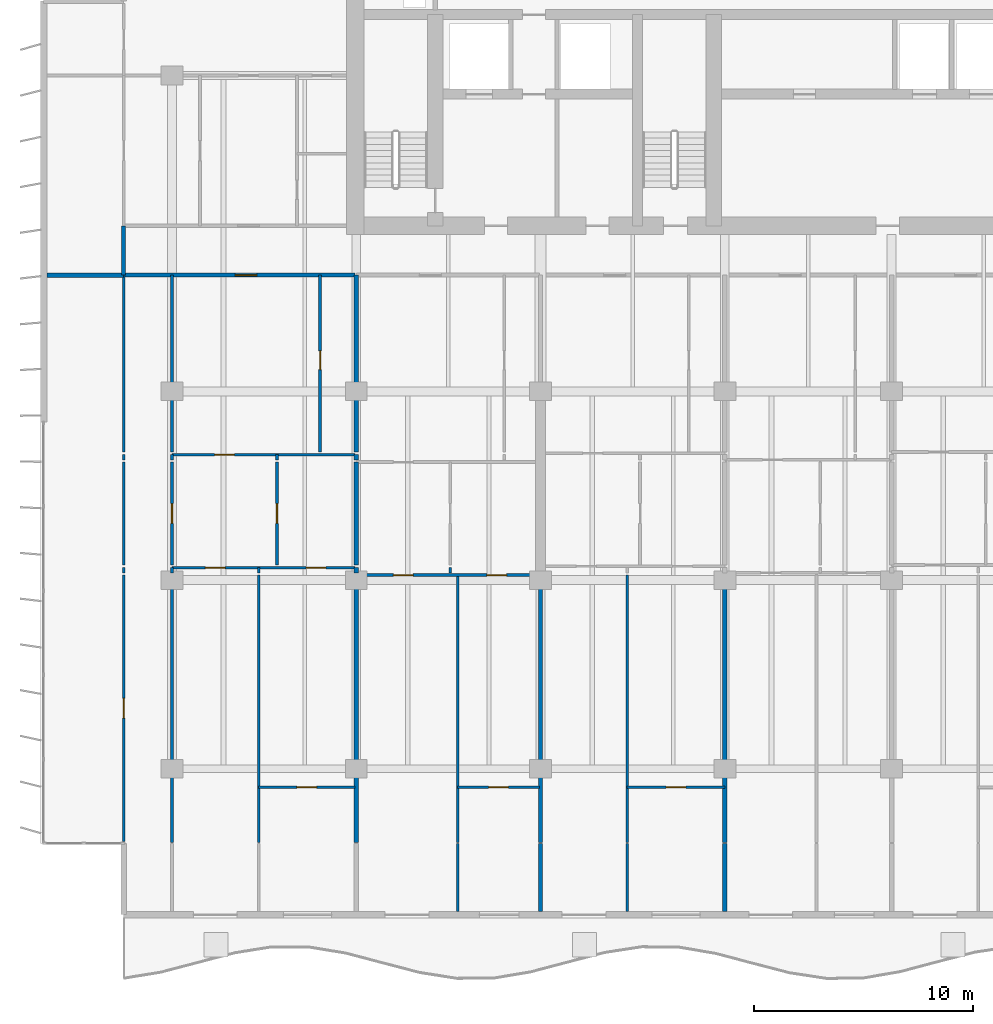
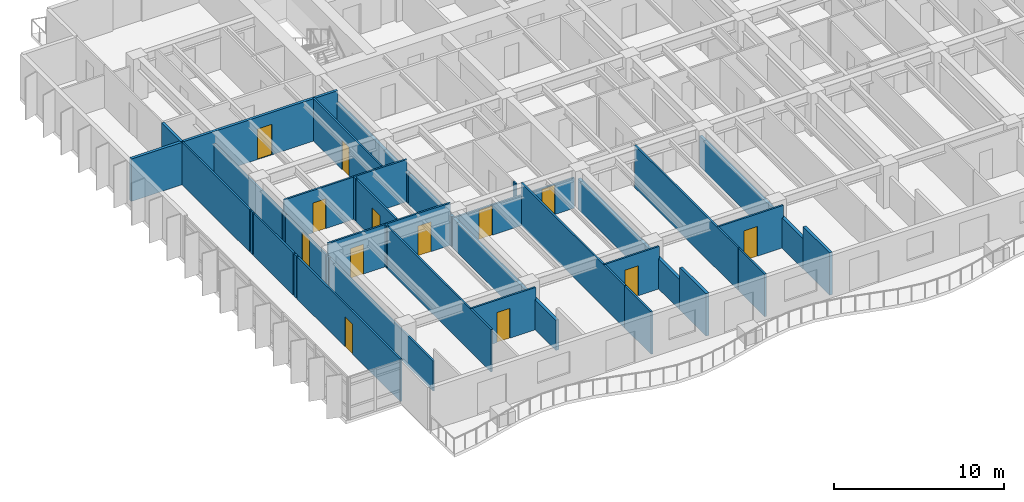
# One storey, part 6 of 18: 38 walls, 13 doors, 13 openings.
"""IFC4 building model written with IfcOpenShell, lengths in metres."""

from ifc_helpers import new_model, si_unit, direction, frame, frame_2d, origin, place, context, subcontext, project, spatial, rectangle, extrude, material, layer, layer_set, type_object, element, fill, save


model = new_model("IFC4")

# Units and contexts
model_context = context("Model", 3, precision=1e-05, world=origin(), true_north=direction((0.0, 1.0)))
body_context = subcontext(model_context, "Body", "Model", "MODEL_VIEW")
ifc_project = project(units=[si_unit("LENGTHUNIT", "METRE"), si_unit("AREAUNIT", "SQUARE_METRE"), si_unit("VOLUMEUNIT", "CUBIC_METRE"), si_unit("PLANEANGLEUNIT", "RADIAN"), si_unit("MASSUNIT", "GRAM", prefix="KILO")], contexts=[model_context])

# Site, building, storey
site_placement = place(None, origin())
site = spatial("IfcSite", under=ifc_project, at=site_placement, CompositionType="ELEMENT")
building_placement = place(site_placement, origin())
building = spatial("IfcBuilding", under=site, at=building_placement, Name="Caelmar Bay Residences", CompositionType="ELEMENT")
storey_placement = place(building_placement, frame((0.0, 0.0, 125.699951171875)))
storey = spatial("IfcBuildingStorey", under=building, at=storey_placement, Name="L34", CompositionType="ELEMENT", Elevation=125.699951171875)

# Wall
ifc_material_1 = material(Name="Double-stud acoustic fire-rated gypsum partition 180 mm")
ifc_layer_1 = layer(ifc_material_1, 0.179931640625)
ifc_layer_set_1 = layer_set([ifc_layer_1], Name="Double-stud acoustic fire-rated gypsum partition 180 mm")
wall_type_1 = type_object("IfcWallType", Name="W-COR-200", PredefinedType="PARTITIONING", material=ifc_layer_set_1)
wall_1_placement = place(storey_placement, frame((7.699951171875, 34.705078125, 0.0), z_axis=(0.0, 0.0, 1.0), x_axis=(0.0, 1.0, 0.0)))
element("IfcWall", 1, at=wall_1_placement, inside=storey, type_object=wall_type_1, Name="L34 Partition Wall V006", PredefinedType="PARTITIONING", context=body_context, shape_type="SweptSolid", body=[
    extrude(rectangle(XDim=2.244873046875, YDim=0.179931640625, at=frame_2d((1.12255859375, 0.0))), origin(), (0.0, 0.0, 1.0), 3.050048828125),
])

# Wall, opening, door
wall_2_placement = place(storey_placement, frame((7.705078125, 34.699951171875, 0.0), z_axis=(0.0, 0.0, 1.0), x_axis=(1.0, 0.0, 0.0)))
wall_2 = element("IfcWall", 2, at=wall_2_placement, inside=storey, type_object=wall_type_1, Name="L34 Partition Wall H142", PredefinedType="PARTITIONING", context=body_context, shape_type="SweptSolid", body=[
    extrude(rectangle(XDim=10.544921875, YDim=0.179931640625, at=frame_2d((5.2724609375, 0.0))), origin(), (0.0, 0.0, 1.0), 3.050048828125),
])
opening_1_placement = place(wall_2_placement, frame((5.070068359375, 0.0, 0.0)))
opening_1 = element("IfcOpeningElement", 3, at=opening_1_placement, cuts=wall_2, Name="Opening D-L34-123", PredefinedType="OPENING", context=body_context, shape_type="SweptSolid", body=[
    extrude(rectangle(XDim=1.0, YDim=2.199951171875, at=frame_2d((0.5, 1.10009765625))), frame((0.0, 0.099853515625, 0.0), z_axis=(0.0, -1.0, 0.0), x_axis=(1.0, 0.0, 0.0)), (0.0, 0.0, 1.0), 0.199951171875),
])
ifc_material_2 = material(Name="Fire-rated steel and walnut architectural door assembly", Category="steel")
ifc_layer_2 = layer(ifc_material_2, 0.050048828125)
ifc_layer_set_2 = layer_set([ifc_layer_2], Name="Fire-rated steel and walnut architectural door assembly")
door_type_1 = type_object("IfcDoorType", Name="D-UNIT-1000", OperationType="NOTDEFINED", PredefinedType="DOOR", material=ifc_layer_set_2)
door_1_placement = place(opening_1_placement, origin())
door_1 = element("IfcDoor", 4, at=door_1_placement, inside=storey, type_object=door_type_1, Name="L34 Residence 01 Apartment Hall Door", OperationType="SINGLE_SWING_RIGHT", OverallHeight=2.199951171875, OverallWidth=1.0, PredefinedType="DOOR", context=body_context, shape_type="SweptSolid", body=[
    extrude(rectangle(XDim=1.0, YDim=2.199951171875, at=frame_2d((0.5, 1.10009765625))), frame((0.0, 0.02490234375, 0.0), z_axis=(0.0, -1.0, 0.0), x_axis=(1.0, 0.0, 0.0)), (0.0, 0.0, 1.0), 0.050048828125),
])
fill(opening_1, door_1)

ifc_material_3 = material(Name="Acoustic metal-stud gypsum partition 120 mm")
ifc_layer_3 = layer(ifc_material_3, 0.1201171875)
ifc_layer_set_3 = layer_set([ifc_layer_3], Name="Acoustic metal-stud gypsum partition 120 mm")
wall_type_2 = type_object("IfcWallType", Name="W-PRT-120", PredefinedType="PARTITIONING", material=ifc_layer_set_3)
wall_3_placement = place(storey_placement, frame((7.699951171875, 8.885009765625, 0.0), z_axis=(0.0, 0.0, 1.0), x_axis=(0.0, 1.0, 0.0)))
wall_3 = element("IfcWall", 5, at=wall_3_placement, inside=storey, type_object=wall_type_2, Name="L34 Partition Wall V001", PredefinedType="PARTITIONING", context=body_context, shape_type="SweptSolid", body=[
    extrude(rectangle(XDim=12.14501953125, YDim=0.1201171875, at=frame_2d((6.072509765625, 0.0))), origin(), (0.0, 0.0, 1.0), 3.050048828125),
])
opening_2_placement = place(wall_3_placement, frame((5.62255859375, 0.0, 0.0)))
opening_2 = element("IfcOpeningElement", 6, at=opening_2_placement, cuts=wall_3, Name="Opening D-L34-173", PredefinedType="OPENING", context=body_context, shape_type="SweptSolid", body=[
    extrude(rectangle(XDim=0.89990234375, YDim=2.14990234375, at=frame_2d((0.449951171875, 1.074951171875))), frame((0.0, 0.070068359375, 0.0), z_axis=(0.0, -1.0, 0.0), x_axis=(1.0, 0.0, 0.0)), (0.0, 0.0, 1.0), 0.14013671875),
])
ifc_material_4 = material(Name="Solid walnut timber interior door leaf and frame", Category="wood")
ifc_layer_4 = layer(ifc_material_4, 0.050048828125)
ifc_layer_set_4 = layer_set([ifc_layer_4], Name="Solid walnut timber interior door leaf and frame")
door_type_2 = type_object("IfcDoorType", Name="D-ROOM-900", OperationType="NOTDEFINED", PredefinedType="DOOR", material=ifc_layer_set_4)
door_2_placement = place(opening_2_placement, origin())
door_2 = element("IfcDoor", 7, at=door_2_placement, inside=storey, type_object=door_type_2, Name="L34 Residence 01 Penthouse West Salon Door", OperationType="SINGLE_SWING_RIGHT", OverallHeight=2.14990234375, OverallWidth=0.89990234375, PredefinedType="DOOR", context=body_context, shape_type="SweptSolid", body=[
    extrude(rectangle(XDim=0.89990234375, YDim=2.14990234375, at=frame_2d((0.449951171875, 1.074951171875))), frame((0.0, 0.02490234375, 0.0), z_axis=(0.0, -1.0, 0.0), x_axis=(1.0, 0.0, 0.0)), (0.0, 0.0, 1.0), 0.050048828125),
])
fill(opening_2, door_2)

# Walls
wall_4_placement = place(storey_placement, frame((7.699951171875, 21.1298828125, 0.0), z_axis=(0.0, 0.0, 1.0), x_axis=(0.0, 1.0, 0.0)))
element("IfcWall", 8, at=wall_4_placement, inside=storey, type_object=wall_type_2, Name="L34 Partition Wall V002", PredefinedType="PARTITIONING", context=body_context, shape_type="SweptSolid", body=[
    extrude(rectangle(XDim=0.240234375, YDim=0.1201171875, at=frame_2d((0.1201171875, 0.0))), origin(), (0.0, 0.0, 1.0), 3.050048828125),
])
wall_5_placement = place(storey_placement, frame((7.699951171875, 21.489990234375, 0.0), z_axis=(0.0, 0.0, 1.0), x_axis=(0.0, 1.0, 0.0)))
element("IfcWall", 9, at=wall_5_placement, inside=storey, type_object=wall_type_2, Name="L34 Partition Wall V003", PredefinedType="PARTITIONING", context=body_context, shape_type="SweptSolid", body=[
    extrude(rectangle(XDim=4.68994140625, YDim=0.1201171875, at=frame_2d((2.344970703125, 0.0))), origin(), (0.0, 0.0, 1.0), 3.050048828125),
])
wall_6_placement = place(storey_placement, frame((7.699951171875, 26.280029296875, 0.0), z_axis=(0.0, 0.0, 1.0), x_axis=(0.0, 1.0, 0.0)))
element("IfcWall", 10, at=wall_6_placement, inside=storey, type_object=wall_type_2, Name="L34 Partition Wall V004", PredefinedType="PARTITIONING", context=body_context, shape_type="SweptSolid", body=[
    extrude(rectangle(XDim=0.239990234375, YDim=0.1201171875, at=frame_2d((0.1201171875, 0.0))), origin(), (0.0, 0.0, 1.0), 3.050048828125),
])
wall_7_placement = place(storey_placement, frame((7.699951171875, 26.639892578125, 0.0), z_axis=(0.0, 0.0, 1.0), x_axis=(0.0, 1.0, 0.0)))
element("IfcWall", 11, at=wall_7_placement, inside=storey, type_object=wall_type_2, Name="L34 Partition Wall V005", PredefinedType="PARTITIONING", context=body_context, shape_type="SweptSolid", body=[
    extrude(rectangle(XDim=8.06005859375, YDim=0.1201171875, at=frame_2d((4.030029296875, 0.0))), origin(), (0.0, 0.0, 1.0), 3.050048828125),
])
wall_8_placement = place(storey_placement, frame((9.89990234375, 8.840087890625, 0.0), z_axis=(0.0, 0.0, 1.0), x_axis=(0.0, 1.0, 0.0)))
element("IfcWall", 12, at=wall_8_placement, inside=storey, type_object=wall_type_2, Name="L34 Partition Wall V010", PredefinedType="PARTITIONING", context=body_context, shape_type="SweptSolid", body=[
    extrude(rectangle(XDim=12.18994140625, YDim=0.1201171875, at=frame_2d((6.094970703125, 0.0))), origin(), (0.0, 0.0, 1.0), 2.174072265625),
])
wall_9_placement = place(storey_placement, frame((9.89990234375, 21.1298828125, 0.0), z_axis=(0.0, 0.0, 1.0), x_axis=(0.0, 1.0, 0.0)))
element("IfcWall", 13, at=wall_9_placement, inside=storey, type_object=wall_type_2, Name="L34 Partition Wall V011", PredefinedType="PARTITIONING", context=body_context, shape_type="SweptSolid", body=[
    extrude(rectangle(XDim=0.240234375, YDim=0.1201171875, at=frame_2d((0.1201171875, 0.0))), origin(), (0.0, 0.0, 1.0), 2.174072265625),
])

# Wall, opening, door
wall_10_placement = place(storey_placement, frame((9.89990234375, 21.489990234375, 0.0), z_axis=(0.0, 0.0, 1.0), x_axis=(0.0, 1.0, 0.0)))
wall_10 = element("IfcWall", 14, at=wall_10_placement, inside=storey, type_object=wall_type_2, Name="L34 Partition Wall V012", PredefinedType="PARTITIONING", context=body_context, shape_type="SweptSolid", body=[
    extrude(rectangle(XDim=4.68994140625, YDim=0.1201171875, at=frame_2d((2.344970703125, 0.0))), origin(), (0.0, 0.0, 1.0), 2.174072265625),
])
opening_3_placement = place(wall_10_placement, frame((1.89501953125, 0.0, 0.0)))
opening_3 = element("IfcOpeningElement", 15, at=opening_3_placement, cuts=wall_10, Name="Opening D-L34-130", PredefinedType="OPENING", context=body_context, shape_type="SweptSolid", body=[
    extrude(rectangle(XDim=0.89990234375, YDim=2.1240234375, at=frame_2d((0.449951171875, 1.06201171875))), frame((0.0, 0.070068359375, 0.0), z_axis=(0.0, -1.0, 0.0), x_axis=(1.0, 0.0, 0.0)), (0.0, 0.0, 1.0), 0.14013671875),
])
door_3_placement = place(opening_3_placement, origin())
door_3 = element("IfcDoor", 16, at=door_3_placement, inside=storey, type_object=door_type_2, Name="L34 Residence 01 West Apartment Hall Door", OperationType="SINGLE_SWING_LEFT", OverallHeight=2.1240234375, OverallWidth=0.89990234375, PredefinedType="DOOR", context=body_context, shape_type="SweptSolid", body=[
    extrude(rectangle(XDim=0.89990234375, YDim=2.1240234375, at=frame_2d((0.449951171875, 1.06201171875))), frame((0.0, 0.02490234375, 0.0), z_axis=(0.0, -1.0, 0.0), x_axis=(1.0, 0.0, 0.0)), (0.0, 0.0, 1.0), 0.050048828125),
])
fill(opening_3, door_3)

# Walls
wall_11_placement = place(storey_placement, frame((9.89990234375, 26.280029296875, 0.0), z_axis=(0.0, 0.0, 1.0), x_axis=(0.0, 1.0, 0.0)))
element("IfcWall", 17, at=wall_11_placement, inside=storey, type_object=wall_type_2, Name="L34 Partition Wall V013", PredefinedType="PARTITIONING", context=body_context, shape_type="SweptSolid", body=[
    extrude(rectangle(XDim=0.239990234375, YDim=0.1201171875, at=frame_2d((0.1201171875, 0.0))), origin(), (0.0, 0.0, 1.0), 2.174072265625),
])
wall_12_placement = place(storey_placement, frame((9.89990234375, 26.639892578125, 0.0), z_axis=(0.0, 0.0, 1.0), x_axis=(0.0, 1.0, 0.0)))
element("IfcWall", 18, at=wall_12_placement, inside=storey, type_object=wall_type_2, Name="L34 Partition Wall V014", PredefinedType="PARTITIONING", context=body_context, shape_type="SweptSolid", body=[
    extrude(rectangle(XDim=8.06005859375, YDim=0.1201171875, at=frame_2d((4.030029296875, 0.0))), origin(), (0.0, 0.0, 1.0), 2.174072265625),
])
wall_13_placement = place(storey_placement, frame((13.847900390625, 8.840087890625, 0.0), z_axis=(0.0, 0.0, 1.0), x_axis=(0.0, 1.0, 0.0)))
element("IfcWall", 19, at=wall_13_placement, inside=storey, type_object=wall_type_2, Name="L34 Partition Wall V017", PredefinedType="PARTITIONING", context=body_context, shape_type="SweptSolid", body=[
    extrude(rectangle(XDim=12.18994140625, YDim=0.1201171875, at=frame_2d((6.094970703125, 0.0))), origin(), (0.0, 0.0, 1.0), 3.050048828125),
])
wall_14_placement = place(storey_placement, frame((13.847900390625, 21.1298828125, 0.0), z_axis=(0.0, 0.0, 1.0), x_axis=(0.0, 1.0, 0.0)))
element("IfcWall", 20, at=wall_14_placement, inside=storey, type_object=wall_type_2, Name="L34 Partition Wall V018", PredefinedType="PARTITIONING", context=body_context, shape_type="SweptSolid", body=[
    extrude(rectangle(XDim=0.240234375, YDim=0.1201171875, at=frame_2d((0.1201171875, 0.0))), origin(), (0.0, 0.0, 1.0), 3.050048828125),
])

# Wall, opening, door
wall_15_placement = place(storey_placement, frame((14.68603515625, 21.489990234375, 0.0), z_axis=(0.0, 0.0, 1.0), x_axis=(0.0, 1.0, 0.0)))
wall_15 = element("IfcWall", 21, at=wall_15_placement, inside=storey, type_object=wall_type_2, Name="L34 Partition Wall V019", PredefinedType="PARTITIONING", context=body_context, shape_type="SweptSolid", body=[
    extrude(rectangle(XDim=4.68994140625, YDim=0.1201171875, at=frame_2d((2.344970703125, 0.0))), origin(), (0.0, 0.0, 1.0), 3.050048828125),
])
opening_4_placement = place(wall_15_placement, frame((1.89501953125, 0.0, 0.0)))
opening_4 = element("IfcOpeningElement", 22, at=opening_4_placement, cuts=wall_15, Name="Opening D-L34-126", PredefinedType="OPENING", context=body_context, shape_type="SweptSolid", body=[
    extrude(rectangle(XDim=0.89990234375, YDim=2.14990234375, at=frame_2d((0.449951171875, 1.074951171875))), frame((0.0, 0.070068359375, 0.0), z_axis=(0.0, -1.0, 0.0), x_axis=(1.0, 0.0, 0.0)), (0.0, 0.0, 1.0), 0.14013671875),
])
door_4_placement = place(opening_4_placement, origin())
door_4 = element("IfcDoor", 23, at=door_4_placement, inside=storey, type_object=door_type_2, Name="L34 Residence 01 Study Door", OperationType="SINGLE_SWING_LEFT", OverallHeight=2.14990234375, OverallWidth=0.89990234375, PredefinedType="DOOR", context=body_context, shape_type="SweptSolid", body=[
    extrude(rectangle(XDim=0.89990234375, YDim=2.14990234375, at=frame_2d((0.449951171875, 1.074951171875))), frame((0.0, 0.02490234375, 0.0), z_axis=(0.0, -1.0, 0.0), x_axis=(1.0, 0.0, 0.0)), (0.0, 0.0, 1.0), 0.050048828125),
])
fill(opening_4, door_4)

# Wall
wall_16_placement = place(storey_placement, frame((14.68603515625, 26.280029296875, 0.0), z_axis=(0.0, 0.0, 1.0), x_axis=(0.0, 1.0, 0.0)))
element("IfcWall", 24, at=wall_16_placement, inside=storey, type_object=wall_type_2, Name="L34 Partition Wall V020", PredefinedType="PARTITIONING", context=body_context, shape_type="SweptSolid", body=[
    extrude(rectangle(XDim=0.239990234375, YDim=0.1201171875, at=frame_2d((0.1201171875, 0.0))), origin(), (0.0, 0.0, 1.0), 3.050048828125),
])

# Wall, opening, door
wall_17_placement = place(storey_placement, frame((16.64990234375, 26.639892578125, 0.0), z_axis=(0.0, 0.0, 1.0), x_axis=(0.0, 1.0, 0.0)))
wall_17 = element("IfcWall", 25, at=wall_17_placement, inside=storey, type_object=wall_type_2, Name="L34 Partition Wall V022", PredefinedType="PARTITIONING", context=body_context, shape_type="SweptSolid", body=[
    extrude(rectangle(XDim=8.06005859375, YDim=0.1201171875, at=frame_2d((4.030029296875, 0.0))), origin(), (0.0, 0.0, 1.0), 3.050048828125),
])
opening_5_placement = place(wall_17_placement, frame((3.7548828125, 0.0, 0.0)))
opening_5 = element("IfcOpeningElement", 26, at=opening_5_placement, cuts=wall_17, Name="Opening D-L34-124", PredefinedType="OPENING", context=body_context, shape_type="SweptSolid", body=[
    extrude(rectangle(XDim=0.85009765625, YDim=2.10009765625, at=frame_2d((0.425048828125, 1.050048828125))), frame((0.0, 0.070068359375, 0.0), z_axis=(0.0, -1.0, 0.0), x_axis=(1.0, 0.0, 0.0)), (0.0, 0.0, 1.0), 0.14013671875),
])
ifc_layer_5 = layer(ifc_material_4, 0.050048828125)
ifc_layer_set_5 = layer_set([ifc_layer_5], Name="Solid walnut timber interior door leaf and frame")
door_type_3 = type_object("IfcDoorType", Name="D-BATH-850", OperationType="NOTDEFINED", PredefinedType="DOOR", material=ifc_layer_set_5)
door_5_placement = place(opening_5_placement, origin())
door_5 = element("IfcDoor", 27, at=door_5_placement, inside=storey, type_object=door_type_3, Name="L34 Residence 01 Bathroom Door", OperationType="SINGLE_SWING_LEFT", OverallHeight=2.10009765625, OverallWidth=0.85009765625, PredefinedType="DOOR", context=body_context, shape_type="SweptSolid", body=[
    extrude(rectangle(XDim=0.85009765625, YDim=2.10009765625, at=frame_2d((0.425048828125, 1.050048828125))), frame((0.0, 0.02490234375, 0.0), z_axis=(0.0, -1.0, 0.0), x_axis=(1.0, 0.0, 0.0)), (0.0, 0.0, 1.0), 0.050048828125),
])
fill(opening_5, door_5)

# Walls
wall_18_placement = place(storey_placement, frame((22.5859375, 21.1298828125, 0.0), z_axis=(0.0, 0.0, 1.0), x_axis=(0.0, 1.0, 0.0)))
element("IfcWall", 28, at=wall_18_placement, inside=storey, type_object=wall_type_2, Name="L34 Partition Wall V030", PredefinedType="PARTITIONING", context=body_context, shape_type="SweptSolid", body=[
    extrude(rectangle(XDim=0.240234375, YDim=0.1201171875, at=frame_2d((0.1201171875, 0.0))), origin(), (0.0, 0.0, 1.0), 3.050048828125),
])
wall_19_placement = place(storey_placement, frame((22.919921875, 5.695068359375, 0.0), z_axis=(0.0, 0.0, 1.0), x_axis=(0.0, 1.0, 0.0)))
element("IfcWall", 29, at=wall_19_placement, inside=storey, type_object=wall_type_2, Name="L34 Partition Wall V032", PredefinedType="PARTITIONING", context=body_context, shape_type="SweptSolid", body=[
    extrude(rectangle(XDim=3.10498046875, YDim=0.1201171875, at=frame_2d((1.552490234375, 0.0))), origin(), (0.0, 0.0, 1.0), 3.050048828125),
])
wall_20_placement = place(storey_placement, frame((22.919921875, 8.840087890625, 0.0), z_axis=(0.0, 0.0, 1.0), x_axis=(0.0, 1.0, 0.0)))
element("IfcWall", 30, at=wall_20_placement, inside=storey, type_object=wall_type_2, Name="L34 Partition Wall V033", PredefinedType="PARTITIONING", context=body_context, shape_type="SweptSolid", body=[
    extrude(rectangle(XDim=12.18994140625, YDim=0.1201171875, at=frame_2d((6.094970703125, 0.0))), origin(), (0.0, 0.0, 1.0), 3.050048828125),
])
wall_21_placement = place(storey_placement, frame((30.64794921875, 5.695068359375, 0.0), z_axis=(0.0, 0.0, 1.0), x_axis=(0.0, 1.0, 0.0)))
element("IfcWall", 31, at=wall_21_placement, inside=storey, type_object=wall_type_2, Name="L34 Partition Wall V043", PredefinedType="PARTITIONING", context=body_context, shape_type="SweptSolid", body=[
    extrude(rectangle(XDim=3.10498046875, YDim=0.1201171875, at=frame_2d((1.552490234375, 0.0))), origin(), (0.0, 0.0, 1.0), 3.050048828125),
])
wall_22_placement = place(storey_placement, frame((30.64794921875, 8.840087890625, 0.0), z_axis=(0.0, 0.0, 1.0), x_axis=(0.0, 1.0, 0.0)))
element("IfcWall", 32, at=wall_22_placement, inside=storey, type_object=wall_type_2, Name="L34 Partition Wall V044", PredefinedType="PARTITIONING", context=body_context, shape_type="SweptSolid", body=[
    extrude(rectangle(XDim=12.18994140625, YDim=0.1201171875, at=frame_2d((6.094970703125, 0.0))), origin(), (0.0, 0.0, 1.0), 3.050048828125),
])

# Wall, opening, door
wall_23_placement = place(storey_placement, frame((13.847900390625, 11.35009765625, 0.0), z_axis=(0.0, 0.0, 1.0), x_axis=(1.0, 0.0, 0.0)))
wall_23 = element("IfcWall", 33, at=wall_23_placement, inside=storey, type_object=wall_type_2, Name="L34 Partition Wall H121", PredefinedType="PARTITIONING", context=body_context, shape_type="SweptSolid", body=[
    extrude(rectangle(XDim=4.402099609375, YDim=0.1201171875, at=frame_2d((2.201171875, 0.0))), origin(), (0.0, 0.0, 1.0), 3.050048828125),
])
opening_6_placement = place(wall_23_placement, frame((1.7509765625, 0.0, 0.0)))
opening_6 = element("IfcOpeningElement", 34, at=opening_6_placement, cuts=wall_23, Name="Opening D-L34-129", PredefinedType="OPENING", context=body_context, shape_type="SweptSolid", body=[
    extrude(rectangle(XDim=0.89990234375, YDim=2.14990234375, at=frame_2d((0.449951171875, 1.074951171875))), frame((0.0, 0.070068359375, 0.0), z_axis=(0.0, -1.0, 0.0), x_axis=(1.0, 0.0, 0.0)), (0.0, 0.0, 1.0), 0.14013671875),
])
door_6_placement = place(opening_6_placement, origin())
door_6 = element("IfcDoor", 35, at=door_6_placement, inside=storey, type_object=door_type_2, Name="L34 Residence 01 Primary Bedroom Door", OperationType="SINGLE_SWING_RIGHT", OverallHeight=2.14990234375, OverallWidth=0.89990234375, PredefinedType="DOOR", context=body_context, shape_type="SweptSolid", body=[
    extrude(rectangle(XDim=0.89990234375, YDim=2.14990234375, at=frame_2d((0.449951171875, 1.074951171875))), frame((0.0, 0.02490234375, 0.0), z_axis=(0.0, -1.0, 0.0), x_axis=(1.0, 0.0, 0.0)), (0.0, 0.0, 1.0), 0.050048828125),
])
fill(opening_6, door_6)

wall_24_placement = place(storey_placement, frame((22.919921875, 11.35009765625, 0.0), z_axis=(0.0, 0.0, 1.0), x_axis=(1.0, 0.0, 0.0)))
wall_24 = element("IfcWall", 36, at=wall_24_placement, inside=storey, type_object=wall_type_2, Name="L34 Partition Wall H122", PredefinedType="PARTITIONING", context=body_context, shape_type="SweptSolid", body=[
    extrude(rectangle(XDim=3.72998046875, YDim=0.1201171875, at=frame_2d((1.864990234375, 0.0))), origin(), (0.0, 0.0, 1.0), 3.050048828125),
])
opening_7_placement = place(wall_24_placement, frame((1.4150390625, 0.0, 0.0)))
opening_7 = element("IfcOpeningElement", 37, at=opening_7_placement, cuts=wall_24, Name="Opening D-L34-137", PredefinedType="OPENING", context=body_context, shape_type="SweptSolid", body=[
    extrude(rectangle(XDim=0.89990234375, YDim=2.14990234375, at=frame_2d((0.449951171875, 1.074951171875))), frame((0.0, 0.070068359375, 0.0), z_axis=(0.0, -1.0, 0.0), x_axis=(1.0, 0.0, 0.0)), (0.0, 0.0, 1.0), 0.14013671875),
])
door_7_placement = place(opening_7_placement, origin())
door_7 = element("IfcDoor", 38, at=door_7_placement, inside=storey, type_object=door_type_2, Name="L34 Residence 02 Primary Bedroom Door", OperationType="SINGLE_SWING_RIGHT", OverallHeight=2.14990234375, OverallWidth=0.89990234375, PredefinedType="DOOR", context=body_context, shape_type="SweptSolid", body=[
    extrude(rectangle(XDim=0.89990234375, YDim=2.14990234375, at=frame_2d((0.449951171875, 1.074951171875))), frame((0.0, 0.02490234375, 0.0), z_axis=(0.0, -1.0, 0.0), x_axis=(1.0, 0.0, 0.0)), (0.0, 0.0, 1.0), 0.050048828125),
])
fill(opening_7, door_7)

wall_25_placement = place(storey_placement, frame((30.64794921875, 11.35009765625, 0.0), z_axis=(0.0, 0.0, 1.0), x_axis=(1.0, 0.0, 0.0)))
wall_25 = element("IfcWall", 39, at=wall_25_placement, inside=storey, type_object=wall_type_2, Name="L34 Partition Wall H123", PredefinedType="PARTITIONING", context=body_context, shape_type="SweptSolid", body=[
    extrude(rectangle(XDim=4.4521484375, YDim=0.1201171875, at=frame_2d((2.22607421875, 0.0))), origin(), (0.0, 0.0, 1.0), 3.050048828125),
])
opening_8_placement = place(wall_25_placement, frame((1.77587890625, 0.0, 0.0)))
opening_8 = element("IfcOpeningElement", 40, at=opening_8_placement, cuts=wall_25, Name="Opening D-L34-144", PredefinedType="OPENING", context=body_context, shape_type="SweptSolid", body=[
    extrude(rectangle(XDim=0.89990234375, YDim=2.14990234375, at=frame_2d((0.449951171875, 1.074951171875))), frame((0.0, 0.070068359375, 0.0), z_axis=(0.0, -1.0, 0.0), x_axis=(1.0, 0.0, 0.0)), (0.0, 0.0, 1.0), 0.14013671875),
])
door_8_placement = place(opening_8_placement, origin())
door_8 = element("IfcDoor", 41, at=door_8_placement, inside=storey, type_object=door_type_2, Name="L34 Residence 03 Primary Bedroom Door", OperationType="SINGLE_SWING_LEFT", OverallHeight=2.14990234375, OverallWidth=0.89990234375, PredefinedType="DOOR", context=body_context, shape_type="SweptSolid", body=[
    extrude(rectangle(XDim=0.89990234375, YDim=2.14990234375, at=frame_2d((0.449951171875, 1.074951171875))), frame((0.0, 0.02490234375, 0.0), z_axis=(0.0, -1.0, 0.0), x_axis=(1.0, 0.0, 0.0)), (0.0, 0.0, 1.0), 0.050048828125),
])
fill(opening_8, door_8)

# Wall, openings, doors
wall_26_placement = place(storey_placement, frame((18.300048828125, 21.030029296875, 0.0), z_axis=(0.0, 0.0, 1.0), x_axis=(1.0, 0.0, 0.0)))
wall_26 = element("IfcWall", 42, at=wall_26_placement, inside=storey, type_object=wall_type_2, Name="L34 Partition Wall H127", PredefinedType="PARTITIONING", context=body_context, shape_type="SweptSolid", body=[
    extrude(rectangle(XDim=8.179931640625, YDim=0.1201171875, at=frame_2d((4.08984375, 0.0))), origin(), (0.0, 0.0, 1.0), 2.174072265625),
])
opening_9_placement = place(wall_26_placement, frame((1.693115234375, 0.0, 0.0)))
opening_9 = element("IfcOpeningElement", 43, at=opening_9_placement, cuts=wall_26, Name="Opening D-L34-135", PredefinedType="OPENING", context=body_context, shape_type="SweptSolid", body=[
    extrude(rectangle(XDim=0.89990234375, YDim=2.1240234375, at=frame_2d((0.449951171875, 1.06201171875))), frame((0.0, 0.070068359375, 0.0), z_axis=(0.0, -1.0, 0.0), x_axis=(1.0, 0.0, 0.0)), (0.0, 0.0, 1.0), 0.14013671875),
])
opening_10_placement = place(wall_26_placement, frame((5.949951171875, 0.0, 0.0)))
opening_10 = element("IfcOpeningElement", 44, at=opening_10_placement, cuts=wall_26, Name="Opening D-L34-136", PredefinedType="OPENING", context=body_context, shape_type="SweptSolid", body=[
    extrude(rectangle(XDim=0.89990234375, YDim=2.1240234375, at=frame_2d((0.449951171875, 1.06201171875))), frame((0.0, 0.070068359375, 0.0), z_axis=(0.0, -1.0, 0.0), x_axis=(1.0, 0.0, 0.0)), (0.0, 0.0, 1.0), 0.14013671875),
])
door_9_placement = place(opening_9_placement, origin())
door_9 = element("IfcDoor", 45, at=door_9_placement, inside=storey, type_object=door_type_2, Name="L34 Residence 02 Living Room Door", OperationType="SINGLE_SWING_RIGHT", OverallHeight=2.1240234375, OverallWidth=0.89990234375, PredefinedType="DOOR", context=body_context, shape_type="SweptSolid", body=[
    extrude(rectangle(XDim=0.89990234375, YDim=2.1240234375, at=frame_2d((0.449951171875, 1.06201171875))), frame((0.0, 0.02490234375, 0.0), z_axis=(0.0, -1.0, 0.0), x_axis=(1.0, 0.0, 0.0)), (0.0, 0.0, 1.0), 0.050048828125),
])
fill(opening_9, door_9)
door_10_placement = place(opening_10_placement, origin())
door_10 = element("IfcDoor", 46, at=door_10_placement, inside=storey, type_object=door_type_2, Name="L34 Residence 02 Bedroom 2 Door", OperationType="SINGLE_SWING_LEFT", OverallHeight=2.1240234375, OverallWidth=0.89990234375, PredefinedType="DOOR", context=body_context, shape_type="SweptSolid", body=[
    extrude(rectangle(XDim=0.89990234375, YDim=2.1240234375, at=frame_2d((0.449951171875, 1.06201171875))), frame((0.0, 0.02490234375, 0.0), z_axis=(0.0, -1.0, 0.0), x_axis=(1.0, 0.0, 0.0)), (0.0, 0.0, 1.0), 0.050048828125),
])
fill(opening_10, door_10)

wall_27_placement = place(storey_placement, frame((9.89990234375, 21.3701171875, 0.0), z_axis=(0.0, 0.0, 1.0), x_axis=(1.0, 0.0, 0.0)))
wall_27 = element("IfcWall", 47, at=wall_27_placement, inside=storey, type_object=wall_type_2, Name="L34 Partition Wall H130", PredefinedType="PARTITIONING", context=body_context, shape_type="SweptSolid", body=[
    extrude(rectangle(XDim=8.35009765625, YDim=0.1201171875, at=frame_2d((4.175048828125, 0.0))), origin(), (0.0, 0.0, 1.0), 3.050048828125),
])
opening_11_placement = place(wall_27_placement, frame((1.52392578125, 0.0, 0.0)))
opening_11 = element("IfcOpeningElement", 48, at=opening_11_placement, cuts=wall_27, Name="Opening D-L34-127", PredefinedType="OPENING", context=body_context, shape_type="SweptSolid", body=[
    extrude(rectangle(XDim=0.89990234375, YDim=2.14990234375, at=frame_2d((0.449951171875, 1.074951171875))), frame((0.0, 0.070068359375, 0.0), z_axis=(0.0, -1.0, 0.0), x_axis=(1.0, 0.0, 0.0)), (0.0, 0.0, 1.0), 0.14013671875),
])
opening_12_placement = place(wall_27_placement, frame((6.117919921875, 0.0, 0.0)))
opening_12 = element("IfcOpeningElement", 49, at=opening_12_placement, cuts=wall_27, Name="Opening D-L34-128", PredefinedType="OPENING", context=body_context, shape_type="SweptSolid", body=[
    extrude(rectangle(XDim=0.89990234375, YDim=2.14990234375, at=frame_2d((0.449951171875, 1.074951171875))), frame((0.0, 0.070068359375, 0.0), z_axis=(0.0, -1.0, 0.0), x_axis=(1.0, 0.0, 0.0)), (0.0, 0.0, 1.0), 0.14013671875),
])
door_11_placement = place(opening_11_placement, origin())
door_11 = element("IfcDoor", 50, at=door_11_placement, inside=storey, type_object=door_type_2, Name="L34 Residence 01 Living Room Door", OperationType="SINGLE_SWING_RIGHT", OverallHeight=2.14990234375, OverallWidth=0.89990234375, PredefinedType="DOOR", context=body_context, shape_type="SweptSolid", body=[
    extrude(rectangle(XDim=0.89990234375, YDim=2.14990234375, at=frame_2d((0.449951171875, 1.074951171875))), frame((0.0, 0.02490234375, 0.0), z_axis=(0.0, -1.0, 0.0), x_axis=(1.0, 0.0, 0.0)), (0.0, 0.0, 1.0), 0.050048828125),
])
fill(opening_11, door_11)
door_12_placement = place(opening_12_placement, origin())
door_12 = element("IfcDoor", 51, at=door_12_placement, inside=storey, type_object=door_type_2, Name="L34 Residence 01 Penthouse Sitting Room Door", OperationType="SINGLE_SWING_LEFT", OverallHeight=2.14990234375, OverallWidth=0.89990234375, PredefinedType="DOOR", context=body_context, shape_type="SweptSolid", body=[
    extrude(rectangle(XDim=0.89990234375, YDim=2.14990234375, at=frame_2d((0.449951171875, 1.074951171875))), frame((0.0, 0.02490234375, 0.0), z_axis=(0.0, -1.0, 0.0), x_axis=(1.0, 0.0, 0.0)), (0.0, 0.0, 1.0), 0.050048828125),
])
fill(opening_12, door_12)

# Wall, opening, door
wall_28_placement = place(storey_placement, frame((9.89990234375, 26.52001953125, 0.0), z_axis=(0.0, 0.0, 1.0), x_axis=(1.0, 0.0, 0.0)))
wall_28 = element("IfcWall", 52, at=wall_28_placement, inside=storey, type_object=wall_type_2, Name="L34 Partition Wall H137", PredefinedType="PARTITIONING", context=body_context, shape_type="SweptSolid", body=[
    extrude(rectangle(XDim=8.35009765625, YDim=0.1201171875, at=frame_2d((4.175048828125, 0.0))), origin(), (0.0, 0.0, 1.0), 3.050048828125),
])
opening_13_placement = place(wall_28_placement, frame((1.943115234375, 0.0, 0.0)))
opening_13 = element("IfcOpeningElement", 53, at=opening_13_placement, cuts=wall_28, Name="Opening D-L34-125", PredefinedType="OPENING", context=body_context, shape_type="SweptSolid", body=[
    extrude(rectangle(XDim=0.89990234375, YDim=2.14990234375, at=frame_2d((0.449951171875, 1.074951171875))), frame((0.0, 0.070068359375, 0.0), z_axis=(0.0, -1.0, 0.0), x_axis=(1.0, 0.0, 0.0)), (0.0, 0.0, 1.0), 0.14013671875),
])
door_13_placement = place(opening_13_placement, origin())
door_13 = element("IfcDoor", 54, at=door_13_placement, inside=storey, type_object=door_type_2, Name="L34 Residence 01 Kitchen Door", OperationType="SINGLE_SWING_RIGHT", OverallHeight=2.14990234375, OverallWidth=0.89990234375, PredefinedType="DOOR", context=body_context, shape_type="SweptSolid", body=[
    extrude(rectangle(XDim=0.89990234375, YDim=2.14990234375, at=frame_2d((0.449951171875, 1.074951171875))), frame((0.0, 0.02490234375, 0.0), z_axis=(0.0, -1.0, 0.0), x_axis=(1.0, 0.0, 0.0)), (0.0, 0.0, 1.0), 0.050048828125),
])
fill(opening_13, door_13)

# Walls
ifc_material_5 = material(Name="Acoustic twin-stud fire-rated inter-tenancy partition 200 mm")
ifc_layer_6 = layer(ifc_material_5, 0.199951171875)
ifc_layer_set_6 = layer_set([ifc_layer_6], Name="Acoustic twin-stud fire-rated inter-tenancy partition 200 mm")
wall_type_3 = type_object("IfcWallType", Name="W-PTY-200", PredefinedType="PARTITIONING", material=ifc_layer_set_6)
wall_29_placement = place(storey_placement, frame((18.300048828125, 8.840087890625, 0.0), z_axis=(0.0, 0.0, 1.0), x_axis=(0.0, 1.0, 0.0)))
element("IfcWall", 55, at=wall_29_placement, inside=storey, type_object=wall_type_3, Name="L34 Partition Wall V024", PredefinedType="PARTITIONING", context=body_context, shape_type="SweptSolid", body=[
    extrude(rectangle(XDim=12.18994140625, YDim=0.199951171875, at=frame_2d((6.094970703125, 0.0))), origin(), (0.0, 0.0, 1.0), 2.174072265625),
])
wall_30_placement = place(storey_placement, frame((18.300048828125, 21.1298828125, 0.0), z_axis=(0.0, 0.0, 1.0), x_axis=(0.0, 1.0, 0.0)))
element("IfcWall", 56, at=wall_30_placement, inside=storey, type_object=wall_type_3, Name="L34 Partition Wall V025", PredefinedType="PARTITIONING", context=body_context, shape_type="SweptSolid", body=[
    extrude(rectangle(XDim=0.240234375, YDim=0.199951171875, at=frame_2d((0.1201171875, 0.0))), origin(), (0.0, 0.0, 1.0), 2.174072265625),
])
wall_31_placement = place(storey_placement, frame((18.300048828125, 21.489990234375, 0.0), z_axis=(0.0, 0.0, 1.0), x_axis=(0.0, 1.0, 0.0)))
element("IfcWall", 57, at=wall_31_placement, inside=storey, type_object=wall_type_3, Name="L34 Partition Wall V026", PredefinedType="PARTITIONING", context=body_context, shape_type="SweptSolid", body=[
    extrude(rectangle(XDim=4.68994140625, YDim=0.199951171875, at=frame_2d((2.344970703125, 0.0))), origin(), (0.0, 0.0, 1.0), 2.174072265625),
])
wall_32_placement = place(storey_placement, frame((18.300048828125, 26.280029296875, 0.0), z_axis=(0.0, 0.0, 1.0), x_axis=(0.0, 1.0, 0.0)))
element("IfcWall", 58, at=wall_32_placement, inside=storey, type_object=wall_type_3, Name="L34 Partition Wall V027", PredefinedType="PARTITIONING", context=body_context, shape_type="SweptSolid", body=[
    extrude(rectangle(XDim=0.239990234375, YDim=0.199951171875, at=frame_2d((0.1201171875, 0.0))), origin(), (0.0, 0.0, 1.0), 2.174072265625),
])
wall_33_placement = place(storey_placement, frame((18.300048828125, 26.639892578125, 0.0), z_axis=(0.0, 0.0, 1.0), x_axis=(0.0, 1.0, 0.0)))
element("IfcWall", 59, at=wall_33_placement, inside=storey, type_object=wall_type_3, Name="L34 Partition Wall V028", PredefinedType="PARTITIONING", context=body_context, shape_type="SweptSolid", body=[
    extrude(rectangle(XDim=8.06005859375, YDim=0.199951171875, at=frame_2d((4.030029296875, 0.0))), origin(), (0.0, 0.0, 1.0), 2.174072265625),
])
wall_34_placement = place(storey_placement, frame((26.699951171875, 5.695068359375, 0.0), z_axis=(0.0, 0.0, 1.0), x_axis=(0.0, 1.0, 0.0)))
element("IfcWall", 60, at=wall_34_placement, inside=storey, type_object=wall_type_3, Name="L34 Partition Wall V038", PredefinedType="PARTITIONING", context=body_context, shape_type="SweptSolid", body=[
    extrude(rectangle(XDim=3.10498046875, YDim=0.199951171875, at=frame_2d((1.552490234375, 0.0))), origin(), (0.0, 0.0, 1.0), 3.050048828125),
])
wall_35_placement = place(storey_placement, frame((26.699951171875, 8.840087890625, 0.0), z_axis=(0.0, 0.0, 1.0), x_axis=(0.0, 1.0, 0.0)))
element("IfcWall", 61, at=wall_35_placement, inside=storey, type_object=wall_type_3, Name="L34 Partition Wall V039", PredefinedType="PARTITIONING", context=body_context, shape_type="SweptSolid", body=[
    extrude(rectangle(XDim=11.954833984375, YDim=0.199951171875, at=frame_2d((5.9775390625, 0.0))), origin(), (0.0, 0.0, 1.0), 2.174072265625),
])
wall_36_placement = place(storey_placement, frame((35.10009765625, 5.695068359375, 0.0), z_axis=(0.0, 0.0, 1.0), x_axis=(0.0, 1.0, 0.0)))
element("IfcWall", 62, at=wall_36_placement, inside=storey, type_object=wall_type_3, Name="L34 Partition Wall V050", PredefinedType="PARTITIONING", context=body_context, shape_type="SweptSolid", body=[
    extrude(rectangle(XDim=3.10498046875, YDim=0.199951171875, at=frame_2d((1.552490234375, 0.0))), origin(), (0.0, 0.0, 1.0), 3.050048828125),
])
wall_37_placement = place(storey_placement, frame((35.10009765625, 8.840087890625, 0.0), z_axis=(0.0, 0.0, 1.0), x_axis=(0.0, 1.0, 0.0)))
element("IfcWall", 63, at=wall_37_placement, inside=storey, type_object=wall_type_3, Name="L34 Partition Wall V051", PredefinedType="PARTITIONING", context=body_context, shape_type="SweptSolid", body=[
    extrude(rectangle(XDim=12.18994140625, YDim=0.199951171875, at=frame_2d((6.094970703125, 0.0))), origin(), (0.0, 0.0, 1.0), 2.174072265625),
])
wall_38_placement = place(storey_placement, frame((4.195068359375, 34.699951171875, 0.0), z_axis=(0.0, 0.0, 1.0), x_axis=(1.0, 0.0, 0.0)))
element("IfcWall", 64, at=wall_38_placement, inside=storey, type_object=wall_type_3, Name="L34 Partition Wall H141", PredefinedType="PARTITIONING", context=body_context, shape_type="SweptSolid", body=[
    extrude(rectangle(XDim=3.5048828125, YDim=0.199951171875, at=frame_2d((1.75244140625, 0.0))), origin(), (0.0, 0.0, 1.0), 3.050048828125),
])

save(model, "model.ifc")
